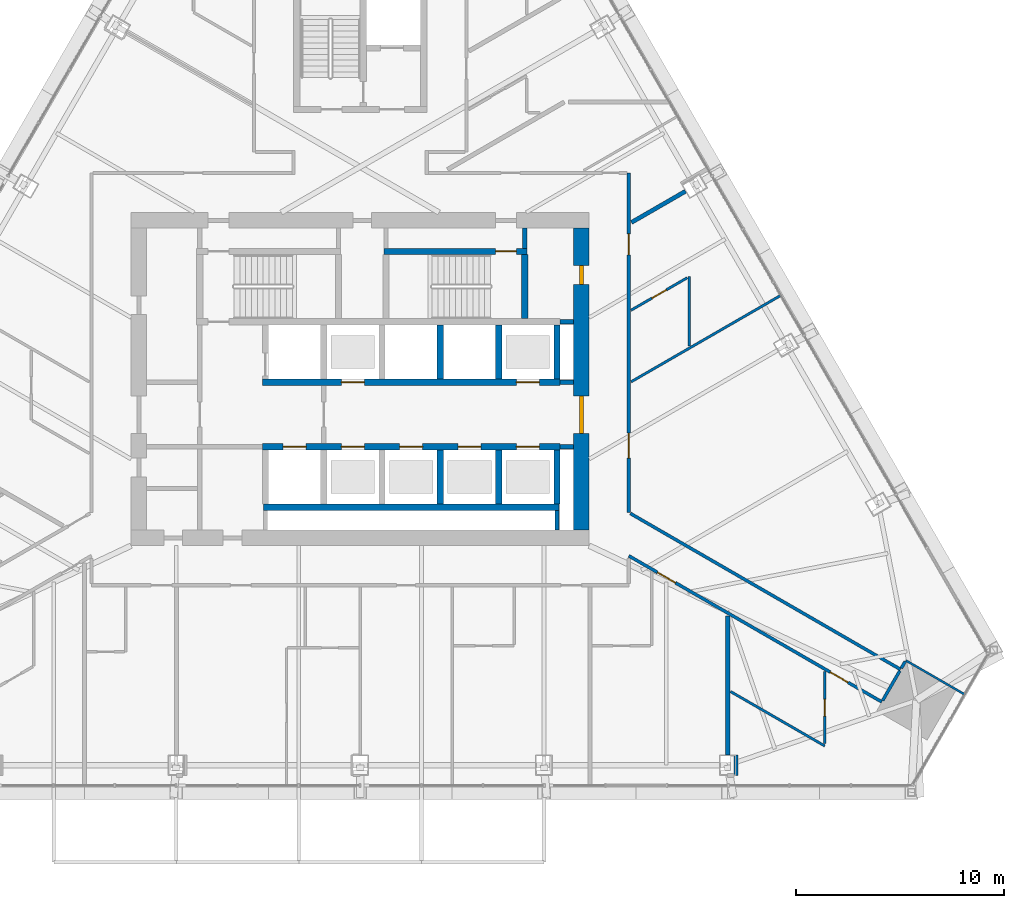
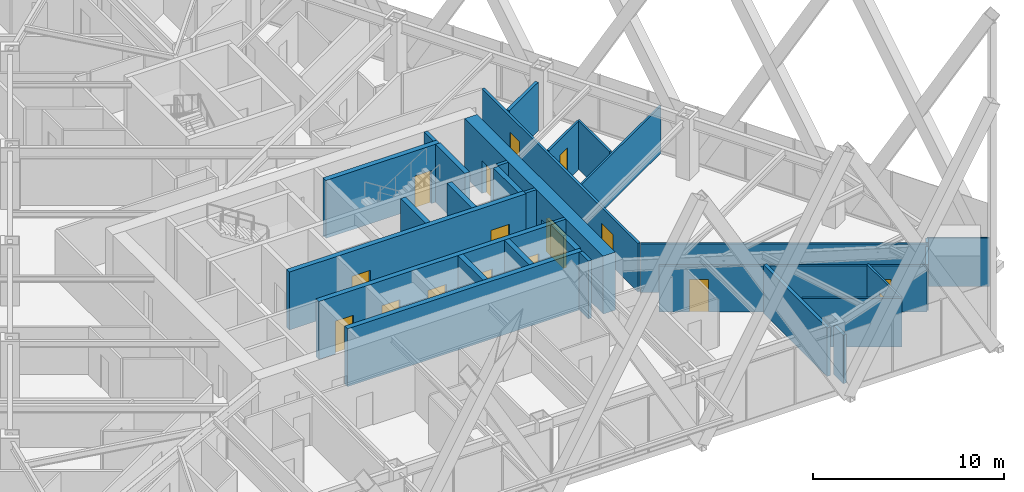
# One storey, part 15 of 19: 31 walls, 16 doors, 16 openings.
"""IFC4 building model written with IfcOpenShell, lengths in metres."""

from ifc_helpers import new_model, si_unit, direction, frame, frame_2d, origin, place, context, subcontext, project, spatial, rectangle, extrude, material, layer, layer_set, type_object, element, fill, save


model = new_model("IFC4")

# Units and contexts
model_context = context("Model", 3, precision=1e-05, world=origin(), true_north=direction((0.0, 1.0)))
body_context = subcontext(model_context, "Body", "Model", "MODEL_VIEW")
ifc_project = project(units=[si_unit("LENGTHUNIT", "METRE"), si_unit("AREAUNIT", "SQUARE_METRE"), si_unit("VOLUMEUNIT", "CUBIC_METRE"), si_unit("PLANEANGLEUNIT", "RADIAN"), si_unit("MASSUNIT", "GRAM", prefix="KILO")], contexts=[model_context])

# Site, building, storey
site_placement = place(None, origin())
site = spatial("IfcSite", under=ifc_project, at=site_placement, CompositionType="ELEMENT")
building_placement = place(site_placement, origin())
building = spatial("IfcBuilding", under=site, at=building_placement, Name="Firuza Gate Tower and Library", CompositionType="ELEMENT")
storey_placement = place(building_placement, frame((0.0, 0.0, 187.0)))
storey = spatial("IfcBuildingStorey", under=building, at=storey_placement, Name="L43", CompositionType="ELEMENT", Elevation=187.0)

# Walls
ifc_material_1 = material(Name="Plasterboard on steel studs", Category="steel")
ifc_layer_1 = layer(ifc_material_1, 0.199951171875)
ifc_layer_set_1 = layer_set([ifc_layer_1], Name="Core partition 200 EI 120")
wall_type_1 = type_object("IfcWallType", Name="Core partition 200 EI 120", PredefinedType="PARTITIONING", material=ifc_layer_set_1)
for number, where, z_axis, x_axis, name in (
    (1, (84.60009765625, 71.75, 0.0), (0.0, 0.0, 1.0), (1.0, 0.0, 0.0), "Core partition L43 3"),
    (2, (84.60009765625, 74.85009765625, 0.0), (0.0, 0.0, 1.0), (1.0, 0.0, 0.0), "Core partition L43 5"),
    (3, (84.60009765625, 77.75, 0.0), (0.0, 0.0, 1.0), (1.0, 0.0, 0.0), "Core partition L43 6"),
):
    element("IfcWall", number, at=place(storey_placement, frame(where, z_axis=z_axis, x_axis=x_axis)), inside=storey, type_object=wall_type_1, Name=name, PredefinedType="PARTITIONING", context=body_context, shape_type="SweptSolid", body=[
        extrude(rectangle(XDim=0.64990234375, YDim=0.199951171875, at=frame_2d((0.324951171875, 0.0))), origin(), (0.0, 0.0, 1.0), 3.699951171875),
    ])
wall_1_placement = place(storey_placement, frame((84.449951171875, 67.75, 0.0), z_axis=(0.0, 0.0, 1.0), x_axis=(0.0, 1.0, 0.0)))
element("IfcWall", 4, at=wall_1_placement, inside=storey, type_object=wall_type_1, Name="Core partition L43 15", PredefinedType="PARTITIONING", context=body_context, shape_type="SweptSolid", body=[
    extrude(rectangle(XDim=0.949951171875, YDim=0.199951171875, at=frame_2d((0.47509765625, 0.0))), origin(), (0.0, 0.0, 1.0), 3.699951171875),
])
ifc_material_2 = material(Name="Plasterboard on steel studs", Category="steel")
ifc_layer_2 = layer(ifc_material_2, 0.199951171875)
ifc_layer_set_2 = layer_set([ifc_layer_2], Name="Core partition 200 EI 60")
wall_type_2 = type_object("IfcWallType", Name="Core partition 200 EI 60", PredefinedType="PARTITIONING", material=ifc_layer_set_2)
wall_2_placement = place(storey_placement, frame((82.89990234375, 81.280029296875, 0.0), z_axis=(0.0, 0.0, 1.0), x_axis=(0.0, 1.0, 0.0)))
element("IfcWall", 5, at=wall_2_placement, inside=storey, type_object=wall_type_2, Name="Core partition L43 14", PredefinedType="PARTITIONING", context=body_context, shape_type="SweptSolid", body=[
    extrude(rectangle(XDim=0.969970703125, YDim=0.199951171875, at=frame_2d((0.48486328125, 0.0))), origin(), (0.0, 0.0, 1.0), 3.699951171875),
])
ifc_material_3 = material(Name="Concrete C80/95", Category="concrete")
ifc_layer_3 = layer(ifc_material_3, 0.300048828125)
ifc_layer_set_3 = layer_set([ifc_layer_3], Name="Core wall 300 C80/95")
wall_type_3 = type_object("IfcWallType", Name="Core wall 300 C80/95", PredefinedType="SHEAR", material=ifc_layer_set_3)
wall_3_placement = place(storey_placement, frame((70.35009765625, 68.85009765625, 0.0), z_axis=(0.0, 0.0, 1.0), x_axis=(1.0, 0.0, 0.0)))
element("IfcWall", 6, at=wall_3_placement, inside=storey, type_object=wall_type_3, Name="Core wall L43 5", PredefinedType="SHEAR", context=body_context, shape_type="SweptSolid", body=[
    extrude(rectangle(XDim=14.199951171875, YDim=0.300048828125, at=frame_2d((7.10009765625, 0.0))), origin(), (0.0, 0.0, 1.0), 3.699951171875),
])

# Wall, openings, doors
wall_4_placement = place(storey_placement, frame((70.300048828125, 71.75, 0.0), z_axis=(0.0, 0.0, 1.0), x_axis=(1.0, 0.0, 0.0)))
wall_4 = element("IfcWall", 7, at=wall_4_placement, inside=storey, type_object=wall_type_3, Name="Core wall L43 6", PredefinedType="SHEAR", context=body_context, shape_type="SweptSolid", body=[
    extrude(rectangle(XDim=14.300048828125, YDim=0.300048828125, at=frame_2d((7.14990234375, 0.0))), origin(), (0.0, 0.0, 1.0), 3.699951171875),
])
opening_1_placement = place(wall_4_placement, frame((1.0, 0.0, 0.0)))
opening_1 = element("IfcOpeningElement", 8, at=opening_1_placement, cuts=wall_4, Name="Opening LD-FF1-L43", PredefinedType="OPENING", context=body_context, shape_type="SweptSolid", body=[
    extrude(rectangle(XDim=1.10009765625, YDim=2.10009765625, at=frame_2d((0.550048828125, 1.050048828125))), frame((0.0, 0.16015625, 0.0), z_axis=(0.0, -1.0, 0.0), x_axis=(1.0, 0.0, 0.0)), (0.0, 0.0, 1.0), 0.320068359375),
])
opening_2_placement = place(wall_4_placement, frame((3.800048828125, 0.0, 0.0)))
opening_2 = element("IfcOpeningElement", 9, at=opening_2_placement, cuts=wall_4, Name="Opening LD-MR1-L43", PredefinedType="OPENING", context=body_context, shape_type="SweptSolid", body=[
    extrude(rectangle(XDim=1.10009765625, YDim=2.10009765625, at=frame_2d((0.550048828125, 1.050048828125))), frame((0.0, 0.16015625, 0.0), z_axis=(0.0, -1.0, 0.0), x_axis=(1.0, 0.0, 0.0)), (0.0, 0.0, 1.0), 0.320068359375),
])
opening_3_placement = place(wall_4_placement, frame((6.60009765625, 0.0, 0.0)))
opening_3 = element("IfcOpeningElement", 10, at=opening_3_placement, cuts=wall_4, Name="Opening LD-MR2-L43", PredefinedType="OPENING", context=body_context, shape_type="SweptSolid", body=[
    extrude(rectangle(XDim=1.10009765625, YDim=2.10009765625, at=frame_2d((0.550048828125, 1.050048828125))), frame((0.0, 0.16015625, 0.0), z_axis=(0.0, -1.0, 0.0), x_axis=(1.0, 0.0, 0.0)), (0.0, 0.0, 1.0), 0.320068359375),
])
opening_4_placement = place(wall_4_placement, frame((9.39990234375, 0.0, 0.0)))
opening_4 = element("IfcOpeningElement", 11, at=opening_4_placement, cuts=wall_4, Name="Opening LD-MR3-L43", PredefinedType="OPENING", context=body_context, shape_type="SweptSolid", body=[
    extrude(rectangle(XDim=1.10009765625, YDim=2.10009765625, at=frame_2d((0.550048828125, 1.050048828125))), frame((0.0, 0.16015625, 0.0), z_axis=(0.0, -1.0, 0.0), x_axis=(1.0, 0.0, 0.0)), (0.0, 0.0, 1.0), 0.320068359375),
])
opening_5_placement = place(wall_4_placement, frame((12.199951171875, 0.0, 0.0)))
opening_5 = element("IfcOpeningElement", 12, at=opening_5_placement, cuts=wall_4, Name="Opening LD-MR5-L43", PredefinedType="OPENING", context=body_context, shape_type="SweptSolid", body=[
    extrude(rectangle(XDim=1.10009765625, YDim=2.10009765625, at=frame_2d((0.550048828125, 1.050048828125))), frame((0.0, 0.16015625, 0.0), z_axis=(0.0, -1.0, 0.0), x_axis=(1.0, 0.0, 0.0)), (0.0, 0.0, 1.0), 0.320068359375),
])
ifc_material_4 = material(Name="Stainless steel", Category="steel")
door_type_1 = type_object("IfcDoorType", Name="Lift landing door 1100x2100", OperationType="DOUBLE_DOOR_SLIDING", PredefinedType="DOOR", material=ifc_material_4)
door_1_placement = place(opening_1_placement, origin())
door_1 = element("IfcDoor", 13, at=door_1_placement, inside=storey, type_object=door_type_1, Name="Landing door FF1 L43", OperationType="DOUBLE_DOOR_SLIDING", OverallHeight=2.10009765625, OverallWidth=1.10009765625, PredefinedType="DOOR", context=body_context, shape_type="SweptSolid", body=[
    extrude(rectangle(XDim=1.10009765625, YDim=2.10009765625, at=frame_2d((0.550048828125, 1.050048828125))), frame((0.0, 0.02490234375, 0.0), z_axis=(0.0, -1.0, 0.0), x_axis=(1.0, 0.0, 0.0)), (0.0, 0.0, 1.0), 0.050048828125),
])
fill(opening_1, door_1)
door_2_placement = place(opening_2_placement, origin())
door_2 = element("IfcDoor", 14, at=door_2_placement, inside=storey, type_object=door_type_1, Name="Landing door MR1 L43", OperationType="DOUBLE_DOOR_SLIDING", OverallHeight=2.10009765625, OverallWidth=1.10009765625, PredefinedType="DOOR", context=body_context, shape_type="SweptSolid", body=[
    extrude(rectangle(XDim=1.10009765625, YDim=2.10009765625, at=frame_2d((0.550048828125, 1.050048828125))), frame((0.0, 0.02490234375, 0.0), z_axis=(0.0, -1.0, 0.0), x_axis=(1.0, 0.0, 0.0)), (0.0, 0.0, 1.0), 0.050048828125),
])
fill(opening_2, door_2)
door_3_placement = place(opening_3_placement, origin())
door_3 = element("IfcDoor", 15, at=door_3_placement, inside=storey, type_object=door_type_1, Name="Landing door MR2 L43", OperationType="DOUBLE_DOOR_SLIDING", OverallHeight=2.10009765625, OverallWidth=1.10009765625, PredefinedType="DOOR", context=body_context, shape_type="SweptSolid", body=[
    extrude(rectangle(XDim=1.10009765625, YDim=2.10009765625, at=frame_2d((0.550048828125, 1.050048828125))), frame((0.0, 0.02490234375, 0.0), z_axis=(0.0, -1.0, 0.0), x_axis=(1.0, 0.0, 0.0)), (0.0, 0.0, 1.0), 0.050048828125),
])
fill(opening_3, door_3)
door_4_placement = place(opening_4_placement, origin())
door_4 = element("IfcDoor", 16, at=door_4_placement, inside=storey, type_object=door_type_1, Name="Landing door MR3 L43", OperationType="DOUBLE_DOOR_SLIDING", OverallHeight=2.10009765625, OverallWidth=1.10009765625, PredefinedType="DOOR", context=body_context, shape_type="SweptSolid", body=[
    extrude(rectangle(XDim=1.10009765625, YDim=2.10009765625, at=frame_2d((0.550048828125, 1.050048828125))), frame((0.0, 0.02490234375, 0.0), z_axis=(0.0, -1.0, 0.0), x_axis=(1.0, 0.0, 0.0)), (0.0, 0.0, 1.0), 0.050048828125),
])
fill(opening_4, door_4)
door_5_placement = place(opening_5_placement, origin())
door_5 = element("IfcDoor", 17, at=door_5_placement, inside=storey, type_object=door_type_1, Name="Landing door MR5 L43", OperationType="DOUBLE_DOOR_SLIDING", OverallHeight=2.10009765625, OverallWidth=1.10009765625, PredefinedType="DOOR", context=body_context, shape_type="SweptSolid", body=[
    extrude(rectangle(XDim=1.10009765625, YDim=2.10009765625, at=frame_2d((0.550048828125, 1.050048828125))), frame((0.0, 0.02490234375, 0.0), z_axis=(0.0, -1.0, 0.0), x_axis=(1.0, 0.0, 0.0)), (0.0, 0.0, 1.0), 0.050048828125),
])
fill(opening_5, door_5)

wall_5_placement = place(storey_placement, frame((70.300048828125, 74.85009765625, 0.0), z_axis=(0.0, 0.0, 1.0), x_axis=(1.0, 0.0, 0.0)))
wall_5 = element("IfcWall", 18, at=wall_5_placement, inside=storey, type_object=wall_type_3, Name="Core wall L43 7", PredefinedType="SHEAR", context=body_context, shape_type="SweptSolid", body=[
    extrude(rectangle(XDim=14.300048828125, YDim=0.300048828125, at=frame_2d((7.14990234375, 0.0))), origin(), (0.0, 0.0, 1.0), 3.699951171875),
])
opening_6_placement = place(wall_5_placement, frame((3.800048828125, 0.0, 0.0)))
opening_6 = element("IfcOpeningElement", 19, at=opening_6_placement, cuts=wall_5, Name="Opening LD-MR4-L43", PredefinedType="OPENING", context=body_context, shape_type="SweptSolid", body=[
    extrude(rectangle(XDim=1.10009765625, YDim=2.10009765625, at=frame_2d((0.550048828125, 1.050048828125))), frame((0.0, 0.16015625, 0.0), z_axis=(0.0, -1.0, 0.0), x_axis=(1.0, 0.0, 0.0)), (0.0, 0.0, 1.0), 0.320068359375),
])
opening_7_placement = place(wall_5_placement, frame((12.199951171875, 0.0, 0.0)))
opening_7 = element("IfcOpeningElement", 20, at=opening_7_placement, cuts=wall_5, Name="Opening LD-MR6-L43", PredefinedType="OPENING", context=body_context, shape_type="SweptSolid", body=[
    extrude(rectangle(XDim=1.10009765625, YDim=2.10009765625, at=frame_2d((0.550048828125, 1.050048828125))), frame((0.0, 0.16015625, 0.0), z_axis=(0.0, -1.0, 0.0), x_axis=(1.0, 0.0, 0.0)), (0.0, 0.0, 1.0), 0.320068359375),
])
door_6_placement = place(opening_6_placement, origin())
door_6 = element("IfcDoor", 21, at=door_6_placement, inside=storey, type_object=door_type_1, Name="Landing door MR4 L43", OperationType="DOUBLE_DOOR_SLIDING", OverallHeight=2.10009765625, OverallWidth=1.10009765625, PredefinedType="DOOR", context=body_context, shape_type="SweptSolid", body=[
    extrude(rectangle(XDim=1.10009765625, YDim=2.10009765625, at=frame_2d((0.550048828125, 1.050048828125))), frame((0.0, 0.02490234375, 0.0), z_axis=(0.0, -1.0, 0.0), x_axis=(1.0, 0.0, 0.0)), (0.0, 0.0, 1.0), 0.050048828125),
])
fill(opening_6, door_6)
door_7_placement = place(opening_7_placement, origin())
door_7 = element("IfcDoor", 22, at=door_7_placement, inside=storey, type_object=door_type_1, Name="Landing door MR6 L43", OperationType="DOUBLE_DOOR_SLIDING", OverallHeight=2.10009765625, OverallWidth=1.10009765625, PredefinedType="DOOR", context=body_context, shape_type="SweptSolid", body=[
    extrude(rectangle(XDim=1.10009765625, YDim=2.10009765625, at=frame_2d((0.550048828125, 1.050048828125))), frame((0.0, 0.02490234375, 0.0), z_axis=(0.0, -1.0, 0.0), x_axis=(1.0, 0.0, 0.0)), (0.0, 0.0, 1.0), 0.050048828125),
])
fill(opening_7, door_7)

# Walls
for number, where, z_axis, x_axis, name in (
    (23, (78.85009765625, 69.0, 0.0), (0.0, 0.0, 1.0), (0.0, 1.0, 0.0), "Core wall L43 14"),
    (24, (78.85009765625, 75.0, 0.0), (0.0, 0.0, 1.0), (0.0, 1.0, 0.0), "Core wall L43 15"),
    (25, (81.64990234375, 69.0, 0.0), (0.0, 0.0, 1.0), (0.0, 1.0, 0.0), "Core wall L43 16"),
    (26, (81.64990234375, 75.0, 0.0), (0.0, 0.0, 1.0), (0.0, 1.0, 0.0), "Core wall L43 17"),
    (27, (84.449951171875, 69.0, 0.0), (0.0, 0.0, 1.0), (0.0, 1.0, 0.0), "Core wall L43 18"),
    (28, (84.449951171875, 75.0, 0.0), (0.0, 0.0, 1.0), (0.0, 1.0, 0.0), "Core wall L43 19"),
):
    element("IfcWall", number, at=place(storey_placement, frame(where, z_axis=z_axis, x_axis=x_axis)), inside=storey, type_object=wall_type_3, Name=name, PredefinedType="SHEAR", context=body_context, shape_type="SweptSolid", body=[
        extrude(rectangle(XDim=2.60009765625, YDim=0.300048828125, at=frame_2d((1.300048828125, 0.0))), origin(), (0.0, 0.0, 1.0), 3.699951171875),
    ])

# Wall, opening, door
wall_6_placement = place(storey_placement, frame((76.139892578125, 81.1298828125, 0.0), z_axis=(0.0, 0.0, 1.0), x_axis=(1.0, 0.0, 0.0)))
wall_6 = element("IfcWall", 29, at=wall_6_placement, inside=storey, type_object=wall_type_3, Name="Core wall L43 22", PredefinedType="SHEAR", context=body_context, shape_type="SweptSolid", body=[
    extrude(rectangle(XDim=6.860107421875, YDim=0.300048828125, at=frame_2d((3.43017578125, 0.0))), origin(), (0.0, 0.0, 1.0), 3.699951171875),
])
opening_8_placement = place(wall_6_placement, frame((5.364990234375, 0.0, 0.0)))
opening_8 = element("IfcOpeningElement", 30, at=opening_8_placement, cuts=wall_6, Name="Opening L43-K13", PredefinedType="OPENING", context=body_context, shape_type="SweptSolid", body=[
    extrude(rectangle(XDim=1.0, YDim=2.10009765625, at=frame_2d((0.5, 1.050048828125))), frame((0.0, 0.16015625, 0.0), z_axis=(0.0, -1.0, 0.0), x_axis=(1.0, 0.0, 0.0)), (0.0, 0.0, 1.0), 0.320068359375),
])
ifc_material_5 = material(Name="Steel", Category="steel")
door_type_2 = type_object("IfcDoorType", Name="Fire door 1000x2100 FD90", OperationType="NOTDEFINED", PredefinedType="DOOR", material=ifc_material_5)
door_8_placement = place(opening_8_placement, origin())
door_8 = element("IfcDoor", 31, at=door_8_placement, inside=storey, type_object=door_type_2, Name="Door L43-K13", OperationType="SINGLE_SWING_RIGHT", OverallHeight=2.10009765625, OverallWidth=1.0, PredefinedType="DOOR", context=body_context, shape_type="SweptSolid", body=[
    extrude(rectangle(XDim=1.0, YDim=2.10009765625, at=frame_2d((0.5, 1.050048828125))), frame((0.0, 0.02490234375, 0.0), z_axis=(0.0, -1.0, 0.0), x_axis=(1.0, 0.0, 0.0)), (0.0, 0.0, 1.0), 0.050048828125),
])
fill(opening_8, door_8)

# Wall
wall_7_placement = place(storey_placement, frame((82.89990234375, 77.89990234375, 0.0), z_axis=(0.0, 0.0, 1.0), x_axis=(0.0, 1.0, 0.0)))
element("IfcWall", 32, at=wall_7_placement, inside=storey, type_object=wall_type_3, Name="Core wall L43 26", PredefinedType="SHEAR", context=body_context, shape_type="SweptSolid", body=[
    extrude(rectangle(XDim=3.080078125, YDim=0.300048828125, at=frame_2d((1.5400390625, 0.0))), origin(), (0.0, 0.0, 1.0), 3.699951171875),
])

# Wall, openings, doors
ifc_material_6 = material(Name="Concrete C80/95", Category="concrete")
ifc_layer_4 = layer(ifc_material_6, 0.75)
ifc_layer_set_4 = layer_set([ifc_layer_4], Name="Core wall 750 C80/95")
wall_type_4 = type_object("IfcWallType", Name="Core wall 750 C80/95", PredefinedType="SHEAR", material=ifc_layer_set_4)
wall_8_placement = place(storey_placement, frame((85.625, 67.75, 0.0), z_axis=(0.0, 0.0, 1.0), x_axis=(0.0, 1.0, 0.0)))
wall_8 = element("IfcWall", 33, at=wall_8_placement, inside=storey, type_object=wall_type_4, Name="Core wall L43 4", PredefinedType="SHEAR", context=body_context, shape_type="SweptSolid", body=[
    extrude(rectangle(XDim=14.5, YDim=0.75, at=frame_2d((7.25, 0.0))), origin(), (0.0, 0.0, 1.0), 3.699951171875),
])
opening_9_placement = place(wall_8_placement, frame((4.64990234375, 0.0, 0.0)))
opening_9 = element("IfcOpeningElement", 34, at=opening_9_placement, cuts=wall_8, Name="Opening L43-K21", PredefinedType="OPENING", context=body_context, shape_type="SweptSolid", body=[
    extrude(rectangle(XDim=1.800048828125, YDim=2.10009765625, at=frame_2d((0.89990234375, 1.050048828125))), frame((0.0, 0.385009765625, 0.0), z_axis=(0.0, -1.0, 0.0), x_axis=(1.0, 0.0, 0.0)), (0.0, 0.0, 1.0), 0.77001953125),
])
opening_10_placement = place(wall_8_placement, frame((11.800048828125, 0.0, 0.0)))
opening_10 = element("IfcOpeningElement", 35, at=opening_10_placement, cuts=wall_8, Name="Opening L43-K27", PredefinedType="OPENING", context=body_context, shape_type="SweptSolid", body=[
    extrude(rectangle(XDim=0.89990234375, YDim=2.10009765625, at=frame_2d((0.449951171875, 1.050048828125))), frame((0.0, 0.385009765625, 0.0), z_axis=(0.0, -1.0, 0.0), x_axis=(1.0, 0.0, 0.0)), (0.0, 0.0, 1.0), 0.77001953125),
])
ifc_material_7 = material(Name="Steel", Category="steel")
door_type_3 = type_object("IfcDoorType", Name="Fire door 1800x2100 FD30S", OperationType="NOTDEFINED", PredefinedType="DOOR", material=ifc_material_7)
door_9_placement = place(opening_9_placement, origin())
door_9 = element("IfcDoor", 36, at=door_9_placement, inside=storey, type_object=door_type_3, Name="Door L43-K21", OperationType="SINGLE_SWING_RIGHT", OverallHeight=2.10009765625, OverallWidth=1.800048828125, PredefinedType="DOOR", context=body_context, shape_type="SweptSolid", body=[
    extrude(rectangle(XDim=1.800048828125, YDim=2.10009765625, at=frame_2d((0.89990234375, 1.050048828125))), frame((0.0, 0.094970703125, 0.0), z_axis=(0.0, -1.0, 0.0), x_axis=(1.0, 0.0, 0.0)), (0.0, 0.0, 1.0), 0.18994140625),
])
fill(opening_9, door_9)
ifc_material_8 = material(Name="Steel", Category="steel")
door_type_4 = type_object("IfcDoorType", Name="Fire door 900x2100 FD30S", OperationType="NOTDEFINED", PredefinedType="DOOR", material=ifc_material_8)
door_10_placement = place(opening_10_placement, origin())
door_10 = element("IfcDoor", 37, at=door_10_placement, inside=storey, type_object=door_type_4, Name="Door L43-K27", OperationType="SINGLE_SWING_RIGHT", OverallHeight=2.10009765625, OverallWidth=0.89990234375, PredefinedType="DOOR", context=body_context, shape_type="SweptSolid", body=[
    extrude(rectangle(XDim=0.89990234375, YDim=2.10009765625, at=frame_2d((0.449951171875, 1.050048828125))), frame((0.0, 0.094970703125, 0.0), z_axis=(0.0, -1.0, 0.0), x_axis=(1.0, 0.0, 0.0)), (0.0, 0.0, 1.0), 0.18994140625),
])
fill(opening_10, door_10)

# Wall
ifc_material_9 = material(Name="Gypsum board partition")
ifc_layer_5 = layer(ifc_material_9, 0.14990234375)
ifc_layer_set_5 = layer_set([ifc_layer_5], Name="Corridor wall 150 double board on steel studs")
wall_type_5 = type_object("IfcWallType", Name="Corridor wall 150 double board on steel studs", PredefinedType="PARTITIONING", material=ifc_layer_set_5)
wall_9_placement = place(storey_placement, frame((100.087890625, 59.5634765625, 0.0), z_axis=(0.0, 0.0, 1.0), x_axis=(0.500102515474, 0.865966208357, 0.0)))
element("IfcWall", 38, at=wall_9_placement, inside=storey, type_object=wall_type_5, Name="f:L43:w039", PredefinedType="PARTITIONING", context=body_context, shape_type="SweptSolid", body=[
    extrude(rectangle(XDim=1.649658203125, YDim=0.14990234375, at=frame_2d((0.82470703125, 0.0))), origin(), (0.0, 0.0, 1.0), 2.947021484375),
])

# Wall, openings, doors
wall_10_placement = place(storey_placement, frame((87.89990234375, 84.89990234375, 0.0), z_axis=(0.0, 0.0, 1.0), x_axis=(0.0, -1.0, 0.0)))
wall_10 = element("IfcWall", 39, at=wall_10_placement, inside=storey, type_object=wall_type_5, Name="f:L43:w049", PredefinedType="PARTITIONING", context=body_context, shape_type="SweptSolid", body=[
    extrude(rectangle(XDim=16.308349609375, YDim=0.14990234375, at=frame_2d((8.154296875, 0.0))), origin(), (0.0, 0.0, 1.0), 3.10009765625),
])
opening_11_placement = place(wall_10_placement, frame((2.93017578125, 0.0, 0.0)))
opening_11 = element("IfcOpeningElement", 40, at=opening_11_placement, cuts=wall_10, Name="Opening L43-25", PredefinedType="OPENING", context=body_context, shape_type="SweptSolid", body=[
    extrude(rectangle(XDim=1.0, YDim=2.10009765625, at=frame_2d((0.5, 1.050048828125))), frame((0.0, 0.0849609375, 0.0), z_axis=(0.0, -1.0, 0.0), x_axis=(1.0, 0.0, 0.0)), (0.0, 0.0, 1.0), 0.169921875),
])
opening_12_placement = place(wall_10_placement, frame((12.49951171875, 0.0, 0.0)))
opening_12 = element("IfcOpeningElement", 41, at=opening_12_placement, cuts=wall_10, Name="Opening L43-26", PredefinedType="OPENING", context=body_context, shape_type="SweptSolid", body=[
    extrude(rectangle(XDim=1.199951171875, YDim=2.10009765625, at=frame_2d((0.60009765625, 1.050048828125))), frame((0.0, 0.0849609375, 0.0), z_axis=(0.0, -1.0, 0.0), x_axis=(1.0, 0.0, 0.0)), (0.0, 0.0, 1.0), 0.169921875),
])
ifc_material_10 = material(Name="Steel door and timber leaf", Category="steel")
door_type_5 = type_object("IfcDoorType", Name="Fire door 1000 x 2100 steel frame, timber leaf", OperationType="NOTDEFINED", PredefinedType="DOOR", material=ifc_material_10)
door_11_placement = place(opening_11_placement, origin())
door_11 = element("IfcDoor", 42, at=door_11_placement, inside=storey, type_object=door_type_5, Name="f:L43:d025", OperationType="SINGLE_SWING_LEFT", OverallHeight=2.10009765625, OverallWidth=1.0, PredefinedType="DOOR", context=body_context, shape_type="SweptSolid", body=[
    extrude(rectangle(XDim=1.0, YDim=2.10009765625, at=frame_2d((0.5, 1.050048828125))), frame((0.0, 0.02490234375, 0.0), z_axis=(0.0, -1.0, 0.0), x_axis=(1.0, 0.0, 0.0)), (0.0, 0.0, 1.0), 0.050048828125),
])
fill(opening_11, door_11)
ifc_material_11 = material(Name="Steel door and timber leaf", Category="steel")
door_type_6 = type_object("IfcDoorType", Name="Fire door 1200 x 2100 steel frame, double leaf", OperationType="NOTDEFINED", PredefinedType="DOOR", material=ifc_material_11)
door_12_placement = place(opening_12_placement, origin())
door_12 = element("IfcDoor", 43, at=door_12_placement, inside=storey, type_object=door_type_6, Name="f:L43:d026", OperationType="DOUBLE_DOOR_SINGLE_SWING", OverallHeight=2.10009765625, OverallWidth=1.199951171875, PredefinedType="DOOR", context=body_context, shape_type="SweptSolid", body=[
    extrude(rectangle(XDim=1.199951171875, YDim=2.10009765625, at=frame_2d((0.60009765625, 1.050048828125))), frame((0.0, 0.02490234375, 0.0), z_axis=(0.0, -1.0, 0.0), x_axis=(1.0, 0.0, 0.0)), (0.0, 0.0, 1.0), 0.050048828125),
])
fill(opening_12, door_12)

# Wall
wall_11_placement = place(storey_placement, frame((100.9501953125, 61.056884765625, 0.0), z_axis=(0.0, 0.0, 1.0), x_axis=(-0.866024397638, 0.500001742692, 0.0)))
element("IfcWall", 44, at=wall_11_placement, inside=storey, type_object=wall_type_5, Name="f:L43:w091", PredefinedType="PARTITIONING", context=body_context, shape_type="SweptSolid", body=[
    extrude(rectangle(XDim=14.982421875, YDim=0.14990234375, at=frame_2d((7.4912109375, 0.0))), origin(), (0.0, 0.0, 1.0), 3.10009765625),
])

# Wall, openings, doors
wall_12_placement = place(storey_placement, frame((100.0498046875, 59.498291015625, 0.0), z_axis=(0.0, 0.0, 1.0), x_axis=(-0.866024169077, 0.50000213857, 0.0)))
wall_12 = element("IfcWall", 45, at=wall_12_placement, inside=storey, type_object=wall_type_5, Name="f:L43:w092", PredefinedType="PARTITIONING", context=body_context, shape_type="SweptSolid", body=[
    extrude(rectangle(XDim=14.029296875, YDim=0.14990234375, at=frame_2d((7.0146484375, 0.0))), origin(), (0.0, 0.0, 1.0), 2.947021484375),
])
opening_13_placement = place(wall_12_placement, frame((1.8701171875, 0.0, 0.0)))
opening_13 = element("IfcOpeningElement", 46, at=opening_13_placement, cuts=wall_12, Name="Opening L43-39", PredefinedType="OPENING", context=body_context, shape_type="SweptSolid", body=[
    extrude(rectangle(XDim=1.0, YDim=2.10009765625, at=frame_2d((0.5, 1.050048828125))), frame((0.0, 0.0849609375, 0.0), z_axis=(0.0, -1.0, 0.0), x_axis=(1.0, 0.0, 0.0)), (0.0, 0.0, 1.0), 0.169921875),
])
opening_14_placement = place(wall_12_placement, frame((11.4365234375, 0.0, 0.0)))
opening_14 = element("IfcOpeningElement", 47, at=opening_14_placement, cuts=wall_12, Name="Opening L43-40", PredefinedType="OPENING", context=body_context, shape_type="SweptSolid", body=[
    extrude(rectangle(XDim=1.0, YDim=2.10009765625, at=frame_2d((0.5, 1.050048828125))), frame((0.0, 0.0849609375, 0.0), z_axis=(0.0, -1.0, 0.0), x_axis=(1.0, 0.0, 0.0)), (0.0, 0.0, 1.0), 0.169921875),
])
door_13_placement = place(opening_13_placement, origin())
door_13 = element("IfcDoor", 48, at=door_13_placement, inside=storey, type_object=door_type_5, Name="f:L43:d039", OperationType="SINGLE_SWING_LEFT", OverallHeight=2.10009765625, OverallWidth=1.0, PredefinedType="DOOR", context=body_context, shape_type="SweptSolid", body=[
    extrude(rectangle(XDim=1.0, YDim=2.10009765625, at=frame_2d((0.5, 1.050048828125))), frame((0.0, 0.02490234375, 0.0), z_axis=(0.0, -1.0, 0.0), x_axis=(1.0, 0.0, 0.0)), (0.0, 0.0, 1.0), 0.050048828125),
])
fill(opening_13, door_13)
door_14_placement = place(opening_14_placement, origin())
door_14 = element("IfcDoor", 49, at=door_14_placement, inside=storey, type_object=door_type_5, Name="f:L43:d040", OperationType="SINGLE_SWING_LEFT", OverallHeight=2.10009765625, OverallWidth=1.0, PredefinedType="DOOR", context=body_context, shape_type="SweptSolid", body=[
    extrude(rectangle(XDim=1.0, YDim=2.10009765625, at=frame_2d((0.5, 1.050048828125))), frame((0.0, 0.02490234375, 0.0), z_axis=(0.0, -1.0, 0.0), x_axis=(1.0, 0.0, 0.0)), (0.0, 0.0, 1.0), 0.050048828125),
])
fill(opening_14, door_14)

# Walls
wall_13_placement = place(storey_placement, frame((100.98779296875, 61.121826171875, 0.0), z_axis=(0.0, 0.0, 1.0), x_axis=(0.500136362069, 0.865946660792, 0.0)))
element("IfcWall", 50, at=wall_13_placement, inside=storey, type_object=wall_type_5, Name="f:L43:w104", PredefinedType="PARTITIONING", context=body_context, shape_type="SweptSolid", body=[
    extrude(rectangle(XDim=0.37451171875, YDim=0.14990234375, at=frame_2d((0.187255859375, 0.0))), origin(), (0.0, 0.0, 1.0), 3.10009765625),
])
ifc_material_12 = material(Name="Gypsum board partition")
ifc_layer_6 = layer(ifc_material_12, 0.199951171875)
ifc_layer_set_6 = layer_set([ifc_layer_6], Name="Demising wall 200 acoustic double stud")
wall_type_6 = type_object("IfcWallType", Name="Demising wall 200 acoustic double stud", PredefinedType="PARTITIONING", material=ifc_layer_set_6)
wall_14_placement = place(storey_placement, frame((88.02685546875, 82.521240234375, 0.0), z_axis=(0.0, 0.0, 1.0), x_axis=(0.866029639064, 0.499992664208, 0.0)))
element("IfcWall", 51, at=wall_14_placement, inside=storey, type_object=wall_type_6, Name="f:L43:w026", PredefinedType="PARTITIONING", context=body_context, shape_type="SweptSolid", body=[
    extrude(rectangle(XDim=2.998046875, YDim=0.199951171875, at=frame_2d((1.4990234375, 0.0))), origin(), (0.0, 0.0, 1.0), 3.10009765625),
])
wall_15_placement = place(storey_placement, frame((93.048095703125, 55.960205078125, 0.0), z_axis=(0.0, 0.0, 1.0), x_axis=(0.0, 1.0, 0.0)))
element("IfcWall", 52, at=wall_15_placement, inside=storey, type_object=wall_type_6, Name="f:L43:w044", PredefinedType="PARTITIONING", context=body_context, shape_type="SweptSolid", body=[
    extrude(rectangle(XDim=0.9990234375, YDim=0.199951171875, at=frame_2d((0.49951171875, 0.0))), origin(), (0.0, 0.0, 1.0), 3.10009765625),
])
wall_16_placement = place(storey_placement, frame((92.64794921875, 56.959716796875, 0.0), z_axis=(0.0, 0.0, 1.0), x_axis=(0.0, 1.0, 0.0)))
element("IfcWall", 53, at=wall_16_placement, inside=storey, type_object=wall_type_6, Name="f:L43:w045", PredefinedType="PARTITIONING", context=body_context, shape_type="SweptSolid", body=[
    extrude(rectangle(XDim=6.66552734375, YDim=0.199951171875, at=frame_2d((3.332763671875, 0.0))), origin(), (0.0, 0.0, 1.0), 3.10009765625),
])
ifc_material_13 = material(Name="Gypsum board partition")
ifc_layer_7 = layer(ifc_material_13, 0.10009765625)
ifc_layer_set_7 = layer_set([ifc_layer_7], Name="Partition 100 gypsum board on steel studs")
wall_type_7 = type_object("IfcWallType", Name="Partition 100 gypsum board on steel studs", PredefinedType="PARTITIONING", material=ifc_layer_set_7)
wall_17_placement = place(storey_placement, frame((104.023681640625, 59.85986328125, 0.0), z_axis=(0.0, 0.0, 1.0), x_axis=(-0.866022198381, 0.50000555188, 0.0)))
element("IfcWall", 54, at=wall_17_placement, inside=storey, type_object=wall_type_7, Name="f:L43:w090", PredefinedType="PARTITIONING", context=body_context, shape_type="SweptSolid", body=[
    extrude(rectangle(XDim=3.259765625, YDim=0.10009765625, at=frame_2d((1.6298828125, 0.0))), origin(), (0.0, 0.0, 1.0), 3.10009765625),
])
ifc_material_14 = material(Name="Gypsum board partition")
ifc_layer_8 = layer(ifc_material_14, 0.1201171875)
ifc_layer_set_8 = layer_set([ifc_layer_8], Name="Wet-area partition 120 moisture-resistant board")
wall_type_8 = type_object("IfcWallType", Name="Wet-area partition 120 moisture-resistant board", PredefinedType="PARTITIONING", material=ifc_layer_set_8)
wall_18_placement = place(storey_placement, frame((88.009765625, 74.869384765625, 0.0), z_axis=(0.0, 0.0, 1.0), x_axis=(0.866025877972, 0.499999178681, 0.0)))
element("IfcWall", 55, at=wall_18_placement, inside=storey, type_object=wall_type_8, Name="f:L43:w020", PredefinedType="PARTITIONING", context=body_context, shape_type="SweptSolid", body=[
    extrude(rectangle(XDim=8.298828125, YDim=0.1201171875, at=frame_2d((4.1494140625, 0.0))), origin(), (0.0, 0.0, 1.0), 3.02197265625),
])

# Wall, opening, door
wall_19_placement = place(storey_placement, frame((90.705322265625, 79.864501953125, 0.0), z_axis=(0.0, 0.0, 1.0), x_axis=(-0.866009247561, -0.500027982357, 0.0)))
wall_19 = element("IfcWall", 56, at=wall_19_placement, inside=storey, type_object=wall_type_8, Name="f:L43:w023", PredefinedType="PARTITIONING", context=body_context, shape_type="SweptSolid", body=[
    extrude(rectangle(XDim=3.112548828125, YDim=0.1201171875, at=frame_2d((1.55615234375, 0.0))), origin(), (0.0, 0.0, 1.0), 3.10009765625),
])
opening_15_placement = place(wall_19_placement, frame((1.156494140625, 0.0, 0.0)))
opening_15 = element("IfcOpeningElement", 57, at=opening_15_placement, cuts=wall_19, Name="Opening L43-14", PredefinedType="OPENING", context=body_context, shape_type="SweptSolid", body=[
    extrude(rectangle(XDim=0.800048828125, YDim=2.10009765625, at=frame_2d((0.39990234375, 1.050048828125))), frame((0.0, 0.070068359375, 0.0), z_axis=(0.0, -1.0, 0.0), x_axis=(1.0, 0.0, 0.0)), (0.0, 0.0, 1.0), 0.14013671875),
])
ifc_material_15 = material(Name="Timber door", Category="wood")
door_type_7 = type_object("IfcDoorType", Name="Door 800 x 2100 timber leaf", OperationType="NOTDEFINED", PredefinedType="DOOR", material=ifc_material_15)
door_15_placement = place(opening_15_placement, origin())
door_15 = element("IfcDoor", 58, at=door_15_placement, inside=storey, type_object=door_type_7, Name="f:L43:d014", OperationType="SINGLE_SWING_RIGHT", OverallHeight=2.10009765625, OverallWidth=0.800048828125, PredefinedType="DOOR", context=body_context, shape_type="SweptSolid", body=[
    extrude(rectangle(XDim=0.800048828125, YDim=2.10009765625, at=frame_2d((0.39990234375, 1.050048828125))), frame((0.0, 0.02490234375, 0.0), z_axis=(0.0, -1.0, 0.0), x_axis=(1.0, 0.0, 0.0)), (0.0, 0.0, 1.0), 0.050048828125),
])
fill(opening_15, door_15)

wall_20_placement = place(storey_placement, frame((97.31201171875, 57.493408203125, 0.0), z_axis=(0.0, 0.0, 1.0), x_axis=(0.0, 1.0, 0.0)))
wall_20 = element("IfcWall", 59, at=wall_20_placement, inside=storey, type_object=wall_type_8, Name="f:L43:w043", PredefinedType="PARTITIONING", context=body_context, shape_type="SweptSolid", body=[
    extrude(rectangle(XDim=3.459228515625, YDim=0.1201171875, at=frame_2d((1.7294921875, 0.0))), origin(), (0.0, 0.0, 1.0), 3.10009765625),
])
opening_16_placement = place(wall_20_placement, frame((1.32958984375, 0.0, 0.0)))
opening_16 = element("IfcOpeningElement", 60, at=opening_16_placement, cuts=wall_20, Name="Opening L43-24", PredefinedType="OPENING", context=body_context, shape_type="SweptSolid", body=[
    extrude(rectangle(XDim=0.800048828125, YDim=2.10009765625, at=frame_2d((0.39990234375, 1.050048828125))), frame((0.0, 0.070068359375, 0.0), z_axis=(0.0, -1.0, 0.0), x_axis=(1.0, 0.0, 0.0)), (0.0, 0.0, 1.0), 0.14013671875),
])
door_16_placement = place(opening_16_placement, origin())
door_16 = element("IfcDoor", 61, at=door_16_placement, inside=storey, type_object=door_type_7, Name="f:L43:d024", OperationType="SINGLE_SWING_RIGHT", OverallHeight=2.10009765625, OverallWidth=0.800048828125, PredefinedType="DOOR", context=body_context, shape_type="SweptSolid", body=[
    extrude(rectangle(XDim=0.800048828125, YDim=2.10009765625, at=frame_2d((0.39990234375, 1.050048828125))), frame((0.0, 0.02490234375, 0.0), z_axis=(0.0, -1.0, 0.0), x_axis=(1.0, 0.0, 0.0)), (0.0, 0.0, 1.0), 0.050048828125),
])
fill(opening_16, door_16)

# Walls
wall_21_placement = place(storey_placement, frame((90.800048828125, 76.58984375, 0.0), z_axis=(0.0, 0.0, 1.0), x_axis=(0.0, 1.0, 0.0)))
element("IfcWall", 62, at=wall_21_placement, inside=storey, type_object=wall_type_8, Name="f:L43:w046", PredefinedType="PARTITIONING", context=body_context, shape_type="SweptSolid", body=[
    extrude(rectangle(XDim=3.329345703125, YDim=0.1201171875, at=frame_2d((1.66455078125, 0.0))), origin(), (0.0, 0.0, 1.0), 3.10009765625),
])
wall_22_placement = place(storey_placement, frame((97.3115234375, 57.38427734375, 0.0), z_axis=(0.0, 0.0, 1.0), x_axis=(-0.866013777185, 0.50002013732, 0.0)))
element("IfcWall", 63, at=wall_22_placement, inside=storey, type_object=wall_type_8, Name="f:L43:w093", PredefinedType="PARTITIONING", context=body_context, shape_type="SweptSolid", body=[
    extrude(rectangle(XDim=5.229736328125, YDim=0.1201171875, at=frame_2d((2.61474609375, 0.0))), origin(), (0.0, 0.0, 1.0), 3.10009765625),
])

save(model, "model.ifc")
